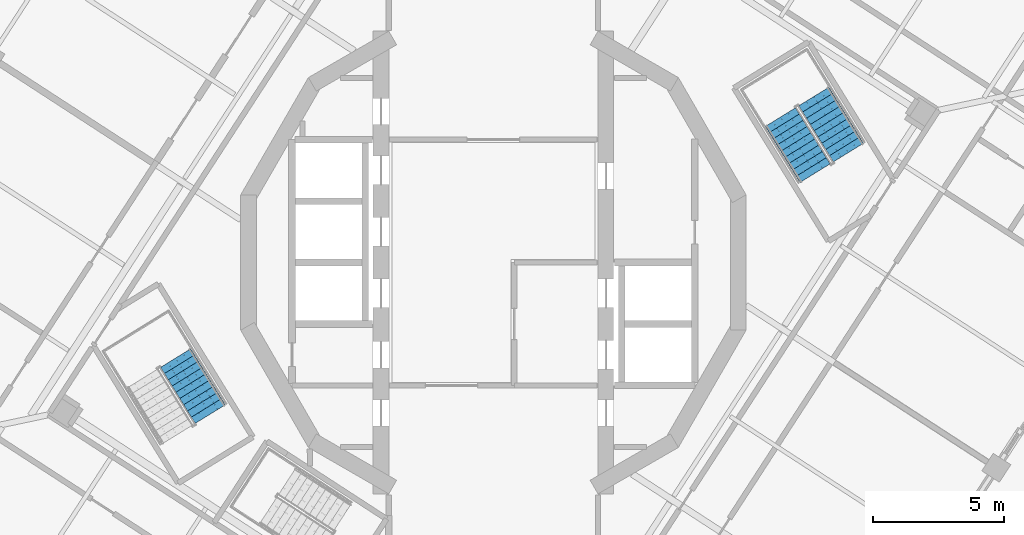
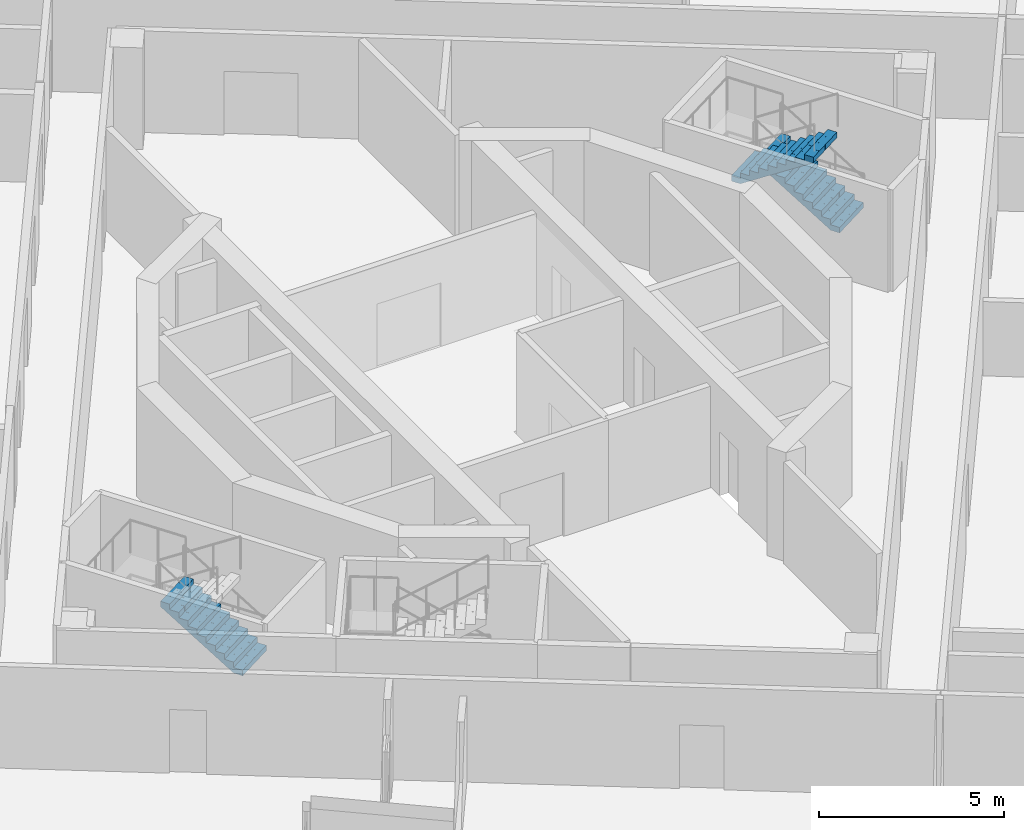
# One storey, part 10 of 15: 3 stair flights, 2 elements without a shape of their own.
"""IFC4 building model written with IfcOpenShell, lengths in metres."""

import ifcopenshell
import ifcopenshell.guid

model = None  # the IFC model being written
_history = None  # IfcOwnerHistory: only IFC2X3 demands one
_inside = {}  # id of a spatial element -> (the spatial element, [elements in it])
_under = {}  # id of a project, library or spatial element -> (it, [spatial elements below it])
_declared = {}  # id of a project -> (the project, [libraries it declares])
_typed = {}  # id of a type object -> (the type object, [elements of that type])
_made_of = {}  # id of a material, layer set ... -> (it, [elements and type objects made of it])


def new_model(schema):
    """Start an empty IFC model of exactly this schema.

    Asked for "IFC4X3", IfcOpenShell would pick the latest addendum, in which some entities
    have other attributes; the version numbers below select the first issue.
    IFC2X3 requires an IfcOwnerHistory on every rooted entity: one is made here for all.
    """
    global model, _history
    if schema == "IFC4X3":
        model = ifcopenshell.file(schema_version=(4, 3, 0, 0))
    else:
        model = ifcopenshell.file(schema=schema)
    _inside.clear()
    _under.clear()
    _declared.clear()
    _typed.clear()
    _made_of.clear()
    _history = None
    if model.schema == "IFC2X3":
        org = make("IfcOrganization", Name="unknown")
        user = make(
            "IfcPersonAndOrganization",
            ThePerson=make("IfcPerson", FamilyName="unknown"),
            TheOrganization=org,
        )
        app = make(
            "IfcApplication",
            ApplicationDeveloper=org,
            Version="unknown",
            ApplicationFullName="unknown",
            ApplicationIdentifier="unknown",
        )
        _history = make(
            "IfcOwnerHistory",
            OwningUser=user,
            OwningApplication=app,
            ChangeAction="ADDED",
            CreationDate=0,
        )
    return model


def make(cls, **values):
    """One entity of the class cls with the attributes given. An attribute that is None is left unset."""
    return model.create_entity(
        cls, **{name: value for name, value in values.items() if value is not None}
    )


def rooted(cls, **values):
    """An entity with a GlobalId (a new one), such as an element, a storey or a relation."""
    return make(cls, GlobalId=ifcopenshell.guid.new(), OwnerHistory=_history, **values)


def si_unit(unit_type, name, prefix=None):
    """IfcSIUnit, for example si_unit("LENGTHUNIT", "METRE", prefix="MILLI")."""
    return make("IfcSIUnit", UnitType=unit_type, Prefix=prefix, Name=name)


def assignment(units):
    """IfcUnitAssignment: the units of a project."""
    return None if units is None else make("IfcUnitAssignment", Units=units)


def point(xyz):
    """IfcCartesianPoint."""
    return None if xyz is None else make("IfcCartesianPoint", Coordinates=xyz)


def direction(xyz):
    """IfcDirection."""
    return None if xyz is None else make("IfcDirection", DirectionRatios=xyz)


def frame(location, z_axis=None, x_axis=None):
    """IfcAxis2Placement3D, a coordinate frame: its origin and axes. An axis left out is left unset."""
    return make(
        "IfcAxis2Placement3D",
        Location=point(location),
        Axis=direction(z_axis),
        RefDirection=direction(x_axis),
    )


def origin():
    """The frame at (0, 0, 0) with its axes left unset."""
    return frame((0.0, 0.0, 0.0))


def place(relative_to, where):
    """IfcLocalPlacement: puts the frame where relative to a parent placement (None: the world)."""
    return make(
        "IfcLocalPlacement", PlacementRelTo=relative_to, RelativePlacement=where
    )


def context(
    kind, dimensions, precision=None, world=None, true_north=None, identifier=None
):
    """IfcGeometricRepresentationContext, for example the 3D "Model" context."""
    return make(
        "IfcGeometricRepresentationContext",
        ContextIdentifier=identifier,
        ContextType=kind,
        CoordinateSpaceDimension=dimensions,
        Precision=precision,
        WorldCoordinateSystem=world,
        TrueNorth=true_north,
    )


def subcontext(parent, identifier, kind, view, scale=None):
    """IfcGeometricRepresentationSubContext, for example "Body" below "Model"."""
    return make(
        "IfcGeometricRepresentationSubContext",
        ContextIdentifier=identifier,
        ContextType=kind,
        ParentContext=parent,
        TargetScale=scale,
        TargetView=view,
    )


def project(units=None, contexts=None):
    """IfcProject with its units and contexts."""
    return rooted(
        "IfcProject",
        Name="project",
        RepresentationContexts=contexts,
        UnitsInContext=assignment(units),
    )


def spatial(cls, under=None, at=None, **own):
    """A site, building, storey or space (cls), placed at a placement, below another one or the project."""
    s = rooted(cls, ObjectPlacement=at, **own)
    if under is not None:
        _under.setdefault(under.id(), (under, []))[1].append(s)
    return s


def polyline(points):
    """IfcPolyline through the points."""
    return make("IfcPolyline", Points=[point(p) for p in points])


def outline(outer, holes=None, kind="AREA"):
    """IfcArbitraryClosedProfileDef: a profile drawn as a closed curve; with holes, ...WithVoids."""
    if holes is None:
        return make("IfcArbitraryClosedProfileDef", ProfileType=kind, OuterCurve=outer)
    return make(
        "IfcArbitraryProfileDefWithVoids",
        ProfileType=kind,
        OuterCurve=outer,
        InnerCurves=holes,
    )


def extrude(swept, where, along, depth):
    """IfcExtrudedAreaSolid: the profile swept, set in the frame where, extruded along a direction by depth."""
    return make(
        "IfcExtrudedAreaSolid",
        SweptArea=swept,
        Position=where,
        ExtrudedDirection=direction(along),
        Depth=depth,
    )


def shape(context_of_items, identifier, shape_type, items):
    """IfcShapeRepresentation: the items that make up one representation, for example the "Body"."""
    return make(
        "IfcShapeRepresentation",
        ContextOfItems=context_of_items,
        RepresentationIdentifier=identifier,
        RepresentationType=shape_type,
        Items=items,
    )


def material(Name=None, Category=None):
    """IfcMaterial."""
    return make("IfcMaterial", Name=Name, Category=Category)


def made_of(thing, what):
    """Note that an element or type object is made of a material, layer set ...; save() writes the relation."""
    if what is not None:
        _made_of.setdefault(what.id(), (what, []))[1].append(thing)
    return thing


def type_object(cls, material=None, **own):
    """A type object (cls), such as IfcWallType, which elements share."""
    return made_of(rooted(cls, **own), material)


def element(
    cls,
    number,
    at=None,
    inside=None,
    cuts=None,
    type_object=None,
    material=None,
    context=None,
    identifier="Body",
    shape_type=None,
    held_by="IfcProductDefinitionShape",
    body=None,
    shapes=None,
    **own,
):
    """One element of the class cls, such as IfcWall. Its Tag is "e" and its number.

    at: its placement. inside: the storey or other place that contains it. cuts: it is an
    opening in that element (IfcRelVoidsElement). A single representation is given by context,
    identifier, shape_type and body (its items); several are given by shapes. held_by: the class
    of the entity that holds the representations. save() writes the other relations.
    """
    e = rooted(cls, Tag="e%d" % number, ObjectPlacement=at, **own)
    if body is not None:
        shapes = [shape(context, identifier, shape_type, body)]
    if shapes is not None:
        e.Representation = make(held_by, Representations=shapes)
    if inside is not None:
        _inside.setdefault(inside.id(), (inside, []))[1].append(e)
    if cuts is not None:
        rooted(
            "IfcRelVoidsElement", RelatingBuildingElement=cuts, RelatedOpeningElement=e
        )
    if type_object is not None:
        _typed.setdefault(type_object.id(), (type_object, []))[1].append(e)
    return made_of(e, material)


def aggregate(whole, parts):
    """IfcRelAggregates: a whole, such as a stair, and the parts it consists of."""
    return rooted("IfcRelAggregates", RelatingObject=whole, RelatedObjects=parts)


def save(model, path):
    """Write the relations noted so far, then the file.

    IfcRelAggregates (storeys below a building ...), IfcRelContainedInSpatialStructure (elements
    in a storey), IfcRelDefinesByType, IfcRelAssociatesMaterial and IfcRelDeclares: one each for
    every whole, place, type object, material and project.
    """
    for whole, parts in _under.values():
        aggregate(whole, parts)
    for where, things in _inside.values():
        rooted(
            "IfcRelContainedInSpatialStructure",
            RelatedElements=things,
            RelatingStructure=where,
        )
    for kind, things in _typed.values():
        rooted("IfcRelDefinesByType", RelatedObjects=things, RelatingType=kind)
    for what, things in _made_of.values():
        rooted("IfcRelAssociatesMaterial", RelatedObjects=things, RelatingMaterial=what)
    for by, libraries in _declared.values():
        rooted("IfcRelDeclares", RelatingContext=by, RelatedDefinitions=libraries)
    model.write(path)


model = new_model("IFC4")

# Units and contexts
model_context = context("Model", 3, precision=1e-05, world=origin(), true_north=direction((0.0, 1.0)))
body_context = subcontext(model_context, "Body", "Model", "MODEL_VIEW")
ifc_project = project(units=[si_unit("LENGTHUNIT", "METRE"), si_unit("AREAUNIT", "SQUARE_METRE"), si_unit("VOLUMEUNIT", "CUBIC_METRE"), si_unit("PLANEANGLEUNIT", "RADIAN"), si_unit("MASSUNIT", "GRAM", prefix="KILO")], contexts=[model_context])

# Site, building, storey
site_placement = place(None, origin())
site = spatial("IfcSite", under=ifc_project, at=site_placement, CompositionType="ELEMENT")
building_placement = place(site_placement, origin())
building = spatial("IfcBuilding", under=site, at=building_placement, Name="Cantera Rosa Tower", CompositionType="ELEMENT")
storey_placement = place(building_placement, frame((0.0, 0.0, 282.89990234375)))
storey = spatial("IfcBuildingStorey", under=building, at=storey_placement, Name="L64", CompositionType="ELEMENT", Elevation=282.89990234375)

# Stair, stair flights
ifc_material_1 = material(Name="Concrete C35/45", Category="concrete")
stair_type = type_object("IfcStairType", Name="EXIT STAIR 1350 DOGLEG", PredefinedType="HALF_TURN_STAIR", material=ifc_material_1)
stair_1_placement = place(storey_placement, origin())
stair_1 = element("IfcStair", 1, at=stair_1_placement, inside=storey, type_object=stair_type, Name="L64 ST-51", PredefinedType="HALF_TURN_STAIR")
ifc_material_2 = material(Name="Concrete C35/45", Category="concrete")
stair_flight_type = type_object("IfcStairFlightType", Name="STAIR FLIGHT 1350 R20x180", PredefinedType="STRAIGHT", material=ifc_material_2)
stair_flight_1_placement = place(storey_placement, frame((13.5732421875, 4.2021484375, 0.0), z_axis=(0.0, 0.0, 1.0), x_axis=(-0.524976585286, 0.851116669383, 0.0)))
stair_flight_1 = element("IfcStairFlight", 2, at=stair_flight_1_placement, type_object=stair_flight_type, Name="ST-51 flight 1", NumberOfRisers=10, NumberOfTreads=9, PredefinedType="STRAIGHT", RiserHeight=0.18, TreadLength=0.28, context=body_context, shape_type="SweptSolid", body=[
    extrude(outline(polyline([(0.0, 0.0), (0.0, 0.179931640625), (0.280029296875, 0.179931640625), (0.280029296875, 0.360107421875), (0.56005859375, 0.360107421875), (0.56005859375, 0.5400390625), (0.840087890625, 0.5400390625), (0.840087890625, 0.719970703125), (1.1201171875, 0.719970703125), (1.1201171875, 0.89990234375), (1.39990234375, 0.89990234375), (1.39990234375, 1.080078125), (1.679931640625, 1.080078125), (1.679931640625, 1.260009765625), (1.9599609375, 1.260009765625), (1.9599609375, 1.43994140625), (2.239990234375, 1.43994140625), (2.239990234375, 1.6201171875), (2.52001953125, 1.6201171875), (2.52001953125, 1.800048828125), (2.52001953125, 1.44189453125), (0.277099609375, 0.0), (0.0, 0.0)])), frame((0.0, 0.675048828125, 0.0), z_axis=(0.0, -1.0, 0.0), x_axis=(1.0, 0.0, 0.0)), (0.0, 0.0, 1.0), 0.3359375),
    extrude(outline(polyline([(0.0, 0.0), (0.0, 0.179931640625), (0.280029296875, 0.179931640625), (0.280029296875, 0.360107421875), (0.56005859375, 0.360107421875), (0.56005859375, 0.5400390625), (0.840087890625, 0.5400390625), (0.840087890625, 0.719970703125), (1.1201171875, 0.719970703125), (1.1201171875, 0.89990234375), (1.39990234375, 0.89990234375), (1.39990234375, 1.080078125), (1.679931640625, 1.080078125), (1.679931640625, 1.260009765625), (1.9599609375, 1.260009765625), (1.9599609375, 1.43994140625), (2.239990234375, 1.43994140625), (2.239990234375, 1.6201171875), (2.52001953125, 1.6201171875), (2.52001953125, 1.800048828125), (2.52001953125, 1.44189453125), (0.277099609375, 0.0), (0.0, 0.0)])), frame((0.0, 0.337158203125, 0.0), z_axis=(0.0, -1.0, 0.0), x_axis=(1.0, 0.0, 0.0)), (0.0, 0.0, 1.0), 0.3359375),
    extrude(outline(polyline([(0.0, 0.0), (0.0, 0.179931640625), (0.280029296875, 0.179931640625), (0.280029296875, 0.360107421875), (0.56005859375, 0.360107421875), (0.56005859375, 0.5400390625), (0.840087890625, 0.5400390625), (0.840087890625, 0.719970703125), (1.1201171875, 0.719970703125), (1.1201171875, 0.89990234375), (1.39990234375, 0.89990234375), (1.39990234375, 1.080078125), (1.679931640625, 1.080078125), (1.679931640625, 1.260009765625), (1.9599609375, 1.260009765625), (1.9599609375, 1.43994140625), (2.239990234375, 1.43994140625), (2.239990234375, 1.6201171875), (2.52001953125, 1.6201171875), (2.52001953125, 1.800048828125), (2.52001953125, 1.44189453125), (0.277099609375, 0.0), (0.0, 0.0)])), frame((0.0, -0.000732421875, 0.0), z_axis=(0.0, -1.0, 0.0), x_axis=(1.0, 0.0, 0.0)), (0.0, 0.0, 1.0), 0.3359375),
    extrude(outline(polyline([(0.0, 0.0), (0.0, 0.179931640625), (0.280029296875, 0.179931640625), (0.280029296875, 0.360107421875), (0.56005859375, 0.360107421875), (0.56005859375, 0.5400390625), (0.840087890625, 0.5400390625), (0.840087890625, 0.719970703125), (1.1201171875, 0.719970703125), (1.1201171875, 0.89990234375), (1.39990234375, 0.89990234375), (1.39990234375, 1.080078125), (1.679931640625, 1.080078125), (1.679931640625, 1.260009765625), (1.9599609375, 1.260009765625), (1.9599609375, 1.43994140625), (2.239990234375, 1.43994140625), (2.239990234375, 1.6201171875), (2.52001953125, 1.6201171875), (2.52001953125, 1.800048828125), (2.52001953125, 1.44189453125), (0.277099609375, 0.0), (0.0, 0.0)])), frame((0.0, -0.338623046875, 0.0), z_axis=(0.0, -1.0, 0.0), x_axis=(1.0, 0.0, 0.0)), (0.0, 0.0, 1.0), 0.3359375),
])
stair_flight_2_placement = place(storey_placement, frame((10.9736328125, 5.5595703125, 1.800048828125), z_axis=(0.0, 0.0, 1.0), x_axis=(0.524976585286, -0.851116669383, 0.0)))
stair_flight_2 = element("IfcStairFlight", 3, at=stair_flight_2_placement, type_object=stair_flight_type, Name="ST-51 flight 2", NumberOfRisers=10, NumberOfTreads=9, PredefinedType="STRAIGHT", RiserHeight=0.18, TreadLength=0.28, context=body_context, shape_type="SweptSolid", body=[
    extrude(outline(polyline([(0.0, 0.0), (0.0, 0.179931640625), (0.280029296875, 0.179931640625), (0.280029296875, 0.360107421875), (0.56005859375, 0.360107421875), (0.56005859375, 0.5400390625), (0.840087890625, 0.5400390625), (0.840087890625, 0.719970703125), (1.1201171875, 0.719970703125), (1.1201171875, 0.89990234375), (1.39990234375, 0.89990234375), (1.39990234375, 1.080078125), (1.679931640625, 1.080078125), (1.679931640625, 1.260009765625), (1.9599609375, 1.260009765625), (1.9599609375, 1.43994140625), (2.239990234375, 1.43994140625), (2.239990234375, 1.6201171875), (2.52001953125, 1.6201171875), (2.52001953125, 1.800048828125), (2.52001953125, 1.44189453125), (0.277099609375, 0.0), (0.0, 0.0)])), frame((0.0, 0.675048828125, 0.0), z_axis=(0.0, -1.0, 0.0), x_axis=(1.0, 0.0, 0.0)), (0.0, 0.0, 1.0), 0.3359375),
    extrude(outline(polyline([(0.0, 0.0), (0.0, 0.179931640625), (0.280029296875, 0.179931640625), (0.280029296875, 0.360107421875), (0.56005859375, 0.360107421875), (0.56005859375, 0.5400390625), (0.840087890625, 0.5400390625), (0.840087890625, 0.719970703125), (1.1201171875, 0.719970703125), (1.1201171875, 0.89990234375), (1.39990234375, 0.89990234375), (1.39990234375, 1.080078125), (1.679931640625, 1.080078125), (1.679931640625, 1.260009765625), (1.9599609375, 1.260009765625), (1.9599609375, 1.43994140625), (2.239990234375, 1.43994140625), (2.239990234375, 1.6201171875), (2.52001953125, 1.6201171875), (2.52001953125, 1.800048828125), (2.52001953125, 1.44189453125), (0.277099609375, 0.0), (0.0, 0.0)])), frame((0.0, 0.337158203125, 0.0), z_axis=(0.0, -1.0, 0.0), x_axis=(1.0, 0.0, 0.0)), (0.0, 0.0, 1.0), 0.3359375),
    extrude(outline(polyline([(0.0, 0.0), (0.0, 0.179931640625), (0.280029296875, 0.179931640625), (0.280029296875, 0.360107421875), (0.56005859375, 0.360107421875), (0.56005859375, 0.5400390625), (0.840087890625, 0.5400390625), (0.840087890625, 0.719970703125), (1.1201171875, 0.719970703125), (1.1201171875, 0.89990234375), (1.39990234375, 0.89990234375), (1.39990234375, 1.080078125), (1.679931640625, 1.080078125), (1.679931640625, 1.260009765625), (1.9599609375, 1.260009765625), (1.9599609375, 1.43994140625), (2.239990234375, 1.43994140625), (2.239990234375, 1.6201171875), (2.52001953125, 1.6201171875), (2.52001953125, 1.800048828125), (2.52001953125, 1.44189453125), (0.277099609375, 0.0), (0.0, 0.0)])), frame((0.0, -0.000732421875, 0.0), z_axis=(0.0, -1.0, 0.0), x_axis=(1.0, 0.0, 0.0)), (0.0, 0.0, 1.0), 0.3359375),
    extrude(outline(polyline([(0.0, 0.0), (0.0, 0.179931640625), (0.280029296875, 0.179931640625), (0.280029296875, 0.360107421875), (0.56005859375, 0.360107421875), (0.56005859375, 0.5400390625), (0.840087890625, 0.5400390625), (0.840087890625, 0.719970703125), (1.1201171875, 0.719970703125), (1.1201171875, 0.89990234375), (1.39990234375, 0.89990234375), (1.39990234375, 1.080078125), (1.679931640625, 1.080078125), (1.679931640625, 1.260009765625), (1.9599609375, 1.260009765625), (1.9599609375, 1.43994140625), (2.239990234375, 1.43994140625), (2.239990234375, 1.6201171875), (2.52001953125, 1.6201171875), (2.52001953125, 1.800048828125), (2.52001953125, 1.44189453125), (0.277099609375, 0.0), (0.0, 0.0)])), frame((0.0, -0.338623046875, 0.0), z_axis=(0.0, -1.0, 0.0), x_axis=(1.0, 0.0, 0.0)), (0.0, 0.0, 1.0), 0.3359375),
])
aggregate(stair_1, [stair_flight_1, stair_flight_2])

# Stair, stair flight
stair_2_placement = place(storey_placement, origin())
stair_2 = element("IfcStair", 4, at=stair_2_placement, inside=storey, type_object=stair_type, Name="L64 ST-52", PredefinedType="HALF_TURN_STAIR")
stair_flight_3_placement = place(storey_placement, frame((-10.82666015625, -5.7978515625, 0.0), z_axis=(0.0, 0.0, 1.0), x_axis=(-0.524976585286, 0.851116669383, 0.0)))
stair_flight_3 = element("IfcStairFlight", 5, at=stair_flight_3_placement, type_object=stair_flight_type, Name="ST-52 flight 1", NumberOfRisers=10, NumberOfTreads=9, PredefinedType="STRAIGHT", RiserHeight=0.18, TreadLength=0.28, context=body_context, shape_type="SweptSolid", body=[
    extrude(outline(polyline([(0.0, 0.0), (0.0, 0.179931640625), (0.280029296875, 0.179931640625), (0.280029296875, 0.360107421875), (0.56005859375, 0.360107421875), (0.56005859375, 0.5400390625), (0.840087890625, 0.5400390625), (0.840087890625, 0.719970703125), (1.1201171875, 0.719970703125), (1.1201171875, 0.89990234375), (1.39990234375, 0.89990234375), (1.39990234375, 1.080078125), (1.679931640625, 1.080078125), (1.679931640625, 1.260009765625), (1.9599609375, 1.260009765625), (1.9599609375, 1.43994140625), (2.239990234375, 1.43994140625), (2.239990234375, 1.6201171875), (2.52001953125, 1.6201171875), (2.52001953125, 1.800048828125), (2.52001953125, 1.44189453125), (0.277099609375, 0.0), (0.0, 0.0)])), frame((0.0, 0.675048828125, 0.0), z_axis=(0.0, -1.0, 0.0), x_axis=(1.0, 0.0, 0.0)), (0.0, 0.0, 1.0), 0.3359375),
    extrude(outline(polyline([(0.0, 0.0), (0.0, 0.179931640625), (0.280029296875, 0.179931640625), (0.280029296875, 0.360107421875), (0.56005859375, 0.360107421875), (0.56005859375, 0.5400390625), (0.840087890625, 0.5400390625), (0.840087890625, 0.719970703125), (1.1201171875, 0.719970703125), (1.1201171875, 0.89990234375), (1.39990234375, 0.89990234375), (1.39990234375, 1.080078125), (1.679931640625, 1.080078125), (1.679931640625, 1.260009765625), (1.9599609375, 1.260009765625), (1.9599609375, 1.43994140625), (2.239990234375, 1.43994140625), (2.239990234375, 1.6201171875), (2.52001953125, 1.6201171875), (2.52001953125, 1.800048828125), (2.52001953125, 1.44189453125), (0.277099609375, 0.0), (0.0, 0.0)])), frame((0.0, 0.337158203125, 0.0), z_axis=(0.0, -1.0, 0.0), x_axis=(1.0, 0.0, 0.0)), (0.0, 0.0, 1.0), 0.3359375),
    extrude(outline(polyline([(0.0, 0.0), (0.0, 0.179931640625), (0.280029296875, 0.179931640625), (0.280029296875, 0.360107421875), (0.56005859375, 0.360107421875), (0.56005859375, 0.5400390625), (0.840087890625, 0.5400390625), (0.840087890625, 0.719970703125), (1.1201171875, 0.719970703125), (1.1201171875, 0.89990234375), (1.39990234375, 0.89990234375), (1.39990234375, 1.080078125), (1.679931640625, 1.080078125), (1.679931640625, 1.260009765625), (1.9599609375, 1.260009765625), (1.9599609375, 1.43994140625), (2.239990234375, 1.43994140625), (2.239990234375, 1.6201171875), (2.52001953125, 1.6201171875), (2.52001953125, 1.800048828125), (2.52001953125, 1.44189453125), (0.277099609375, 0.0), (0.0, 0.0)])), frame((0.0, -0.000732421875, 0.0), z_axis=(0.0, -1.0, 0.0), x_axis=(1.0, 0.0, 0.0)), (0.0, 0.0, 1.0), 0.3359375),
    extrude(outline(polyline([(0.0, 0.0), (0.0, 0.179931640625), (0.280029296875, 0.179931640625), (0.280029296875, 0.360107421875), (0.56005859375, 0.360107421875), (0.56005859375, 0.5400390625), (0.840087890625, 0.5400390625), (0.840087890625, 0.719970703125), (1.1201171875, 0.719970703125), (1.1201171875, 0.89990234375), (1.39990234375, 0.89990234375), (1.39990234375, 1.080078125), (1.679931640625, 1.080078125), (1.679931640625, 1.260009765625), (1.9599609375, 1.260009765625), (1.9599609375, 1.43994140625), (2.239990234375, 1.43994140625), (2.239990234375, 1.6201171875), (2.52001953125, 1.6201171875), (2.52001953125, 1.800048828125), (2.52001953125, 1.44189453125), (0.277099609375, 0.0), (0.0, 0.0)])), frame((0.0, -0.338623046875, 0.0), z_axis=(0.0, -1.0, 0.0), x_axis=(1.0, 0.0, 0.0)), (0.0, 0.0, 1.0), 0.3359375),
])
aggregate(stair_2, [stair_flight_3])

save(model, "model.ifc")
